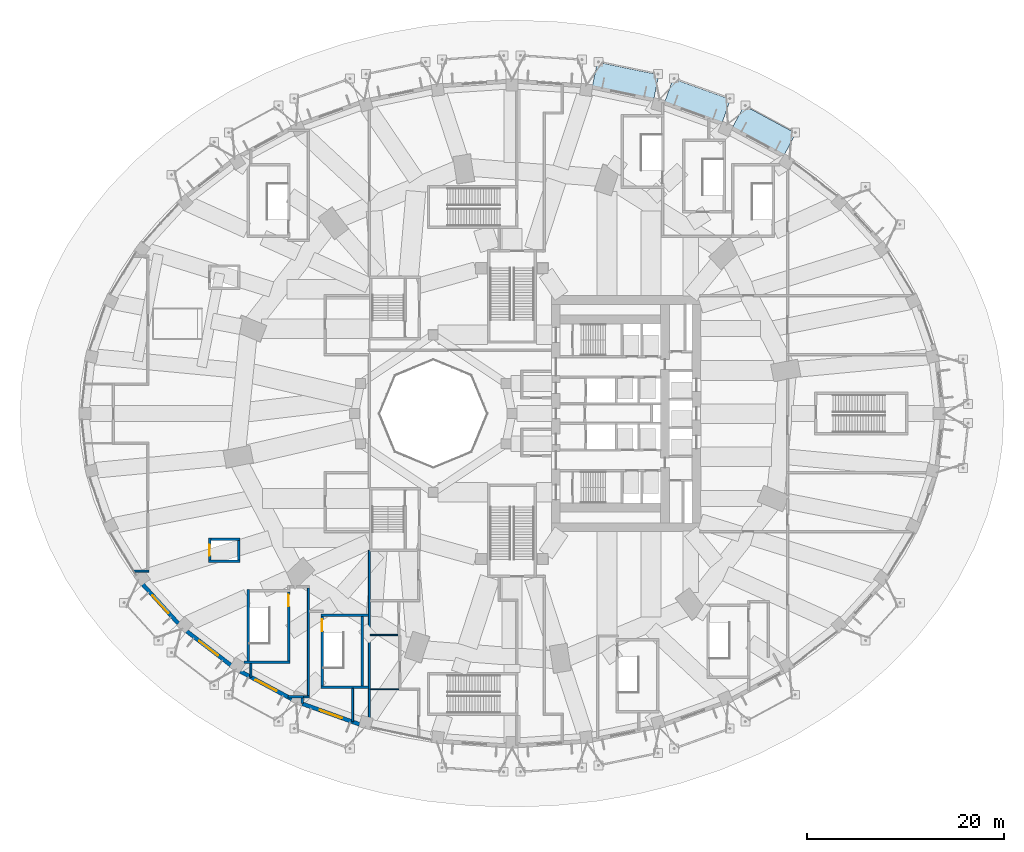
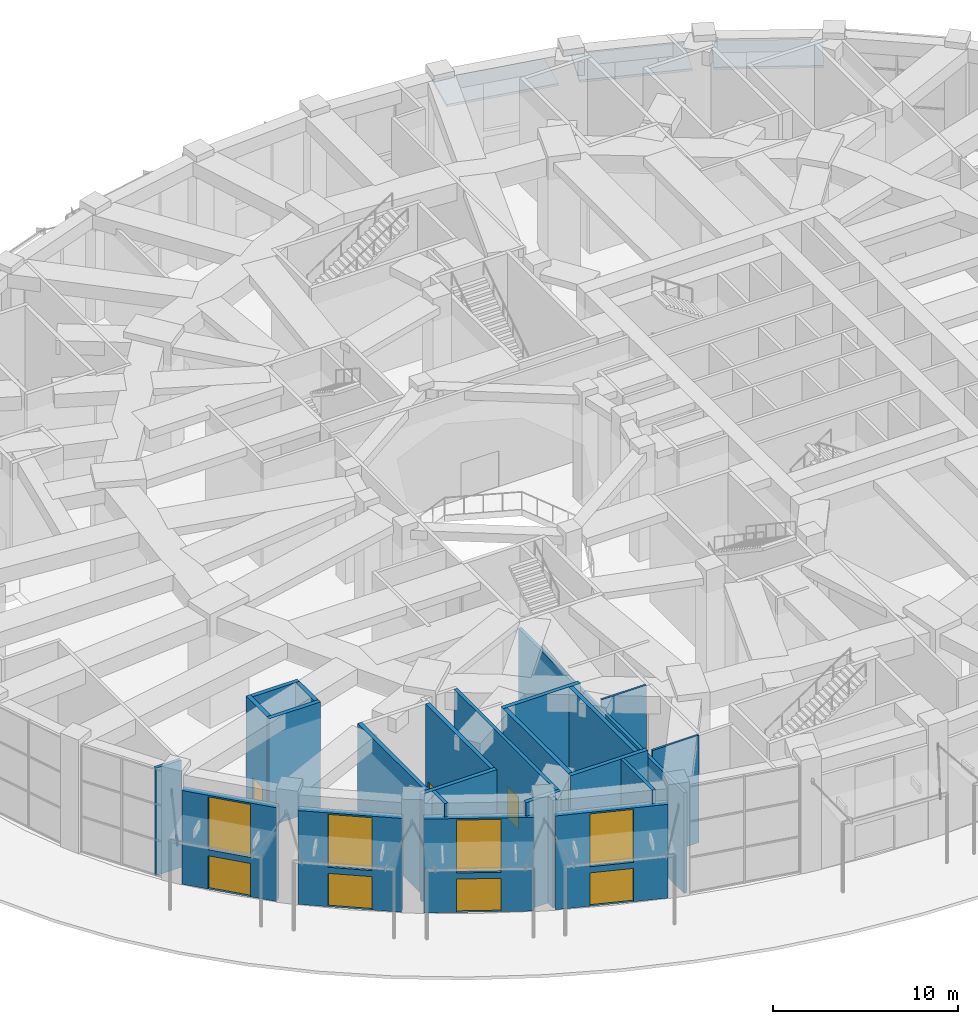
# One storey, part 33 of 60: 25 walls, 7 doors, 4 windows, 3 slabs, 11 openings.
"""IFC4 building model written with IfcOpenShell, lengths in metres."""

from ifc_helpers import new_model, si_unit, direction, frame, frame_2d, origin, place, context, subcontext, project, spatial, polyline, rectangle, outline, extrude, material, layer, layer_set, constituent, constituent_set, type_object, element, fill, save


model = new_model("IFC4")

# Units and contexts
model_context = context("Model", 3, precision=1e-05, world=origin(), true_north=direction((0.0, 1.0)))
body_context = subcontext(model_context, "Body", "Model", "MODEL_VIEW")
ifc_project = project(units=[si_unit("LENGTHUNIT", "METRE"), si_unit("AREAUNIT", "SQUARE_METRE"), si_unit("VOLUMEUNIT", "CUBIC_METRE"), si_unit("PLANEANGLEUNIT", "RADIAN"), si_unit("MASSUNIT", "GRAM", prefix="KILO")], contexts=[model_context])

# Site, building, storey
site_placement = place(None, origin())
site = spatial("IfcSite", under=ifc_project, at=site_placement, CompositionType="ELEMENT")
building_placement = place(site_placement, origin())
building = spatial("IfcBuilding", under=site, at=building_placement, Name="Taillehof Tower", CompositionType="ELEMENT")
storey_placement = place(building_placement, origin())
storey = spatial("IfcBuildingStorey", under=building, at=storey_placement, Name="L00", CompositionType="ELEMENT", Elevation=0.0)

# Slabs
ifc_material_1 = material(Name="Steel S460M", Category="steel")
ifc_constituent_1 = constituent(ifc_material_1, Name="Plate", Category="steel")
ifc_material_2 = material(Name="Aluminium soffit", Category="aluminium")
ifc_constituent_2 = constituent(ifc_material_2, Name="Soffit", Category="aluminium")
ifc_constituent_set = constituent_set(constituents=[ifc_constituent_1, ifc_constituent_2], Name="Entrance canopy 150")
slab_type = type_object("IfcSlabType", Name="Entrance canopy 150", PredefinedType="ROOF", material=ifc_constituent_set)
slab_1_placement = place(storey_placement, frame((0.0, 0.0, 4.449951171875)))
element("IfcSlab", 1, at=slab_1_placement, inside=storey, type_object=slab_type, Name="Canopy over E9", PredefinedType="ROOF", context=body_context, shape_type="SweptSolid", body=[
    extrude(outline(polyline([(27.658203125, 26.2802734375), (22.413330078125, 29.10693359375), (23.599609375, 31.3076171875), (28.84423828125, 28.481201171875), (27.658203125, 26.2802734375)])), origin(), (0.0, 0.0, 1.0), 0.150146484375),
])
slab_2_placement = place(storey_placement, frame((0.0, 0.0, 4.449951171875)))
element("IfcSlab", 2, at=slab_2_placement, inside=storey, type_object=slab_type, Name="Canopy over E10", PredefinedType="ROOF", context=body_context, shape_type="SweptSolid", body=[
    extrude(outline(polyline([(21.3583984375, 29.577392578125), (15.5234375, 31.67138671875), (16.367919921875, 34.0244140625), (22.202880859375, 31.930419921875), (21.3583984375, 29.577392578125)])), origin(), (0.0, 0.0, 1.0), 0.150146484375),
])
slab_3_placement = place(storey_placement, frame((0.0, 0.0, 4.449951171875)))
element("IfcSlab", 3, at=slab_3_placement, inside=storey, type_object=slab_type, Name="Canopy over E11", PredefinedType="ROOF", context=body_context, shape_type="SweptSolid", body=[
    extrude(outline(polyline([(14.412353515625, 31.983642578125), (8.170166015625, 33.27099609375), (8.675048828125, 35.719482421875), (14.917236328125, 34.43212890625), (14.412353515625, 31.983642578125)])), origin(), (0.0, 0.0, 1.0), 0.150146484375),
])

# Wall, openings, door, window
ifc_material_3 = material(Name="Brick masonry", Category="masonry")
ifc_layer_1 = layer(ifc_material_3, 0.39990234375)
ifc_layer_set_1 = layer_set([ifc_layer_1], Name="Brick facade wall 400")
wall_type_1 = type_object("IfcWallType", Name="Brick facade wall 400", PredefinedType="SOLIDWALL", material=ifc_layer_set_1)
wall_1_placement = place(storey_placement, frame((-37.519775390625, -17.362548828125, 0.0), z_axis=(0.0, 0.0, 1.0), x_axis=(0.672941720846, -0.739695505153, 0.0)))
wall_1 = element("IfcWall", 4, at=wall_1_placement, inside=storey, type_object=wall_type_1, Name="Brick wall L00 bay 22", PredefinedType="SOLIDWALL", context=body_context, shape_type="SweptSolid", body=[
    extrude(rectangle(XDim=5.376220703125, YDim=0.39990234375, at=frame_2d((2.68798828125, 0.0))), origin(), (0.0, 0.0, 1.0), 6.18994140625),
])
opening_1_placement = place(wall_1_placement, frame((1.488037109375, 0.0, 0.0)))
opening_1 = element("IfcOpeningElement", 5, at=opening_1_placement, cuts=wall_1, Name="Opening E3", PredefinedType="OPENING", context=body_context, shape_type="SweptSolid", body=[
    extrude(rectangle(XDim=2.39990234375, YDim=2.199951171875, at=frame_2d((1.199951171875, 1.10009765625))), frame((0.0, 0.2099609375, 0.0), z_axis=(0.0, -1.0, 0.0), x_axis=(1.0, 0.0, 0.0)), (0.0, 0.0, 1.0), 0.419921875),
])
opening_2_placement = place(wall_1_placement, frame((1.488037109375, 0.0, 2.60009765625)))
opening_2 = element("IfcOpeningElement", 6, at=opening_2_placement, cuts=wall_1, Name="Opening FL1", PredefinedType="OPENING", context=body_context, shape_type="SweptSolid", body=[
    extrude(rectangle(XDim=2.39990234375, YDim=3.489990234375, at=frame_2d((1.199951171875, 1.7451171875))), frame((0.0, 0.2099609375, 0.0), z_axis=(0.0, -1.0, 0.0), x_axis=(1.0, 0.0, 0.0)), (0.0, 0.0, 1.0), 0.419921875),
])
ifc_material_4 = material(Name="Aluminium door frame with clear laminated safety glass", Category="aluminium")
door_type_1 = type_object("IfcDoorType", Name="Exit door 2400x2200", OperationType="DOUBLE_DOOR_DOUBLE_SWING", PredefinedType="DOOR", material=ifc_material_4)
door_1_placement = place(opening_1_placement, frame((2.39990234375, 0.0, 0.0), z_axis=(0.0, 0.0, 1.0), x_axis=(-1.0, 0.0, 0.0)))
door_1 = element("IfcDoor", 7, at=door_1_placement, inside=storey, type_object=door_type_1, Name="Door E3", OperationType="DOUBLE_DOOR_SINGLE_SWING", OverallHeight=2.199951171875, OverallWidth=2.39990234375, PredefinedType="DOOR", context=body_context, shape_type="SweptSolid", body=[
    extrude(rectangle(XDim=2.39990234375, YDim=2.199951171875, at=frame_2d((1.199951171875, 1.10009765625))), frame((0.0, 0.0498046875, 0.0), z_axis=(0.0, -1.0, 0.0), x_axis=(1.0, 0.0, 0.0)), (0.0, 0.0, 1.0), 0.050048828125),
])
fill(opening_1, door_1)
ifc_material_5 = material(Name="Aluminium window frame with clear laminated safety glass", Category="aluminium")
window_type = type_object("IfcWindowType", Name="Fixed fanlight 2400x3490", PartitioningType="SINGLE_PANEL", PredefinedType="WINDOW", material=ifc_material_5)
window_1_placement = place(opening_2_placement, origin())
window_1 = element("IfcWindow", 8, at=window_1_placement, inside=storey, type_object=window_type, Name="Fanlight over E3", OverallHeight=3.489990234375, OverallWidth=2.39990234375, PartitioningType="SINGLE_PANEL", PredefinedType="WINDOW", context=body_context, shape_type="SweptSolid", body=[
    extrude(rectangle(XDim=2.39990234375, YDim=3.489990234375, at=frame_2d((1.199951171875, 1.7451171875))), frame((0.0, 0.010009765625, 0.0), z_axis=(0.0, -1.0, 0.0), x_axis=(1.0, 0.0, 0.0)), (0.0, 0.0, 1.0), 0.06005859375),
])
fill(opening_2, window_1)

wall_2_placement = place(storey_placement, frame((-33.063232421875, -22.11181640625, 0.0), z_axis=(0.0, 0.0, 1.0), x_axis=(0.79246558555, -0.609916630138, 0.0)))
wall_2 = element("IfcWall", 9, at=wall_2_placement, inside=storey, type_object=wall_type_1, Name="Brick wall L00 bay 23", PredefinedType="SOLIDWALL", context=body_context, shape_type="SweptSolid", body=[
    extrude(rectangle(XDim=5.67333984375, YDim=0.39990234375, at=frame_2d((2.836669921875, 0.0))), origin(), (0.0, 0.0, 1.0), 6.18994140625),
])
opening_3_placement = place(wall_2_placement, frame((1.636474609375, 0.0, 0.0)))
opening_3 = element("IfcOpeningElement", 10, at=opening_3_placement, cuts=wall_2, Name="Opening E4", PredefinedType="OPENING", context=body_context, shape_type="SweptSolid", body=[
    extrude(rectangle(XDim=2.39990234375, YDim=2.199951171875, at=frame_2d((1.199951171875, 1.10009765625))), frame((0.0, 0.2099609375, 0.0), z_axis=(0.0, -1.0, 0.0), x_axis=(1.0, 0.0, 0.0)), (0.0, 0.0, 1.0), 0.419921875),
])
opening_4_placement = place(wall_2_placement, frame((1.636474609375, 0.0, 2.60009765625)))
opening_4 = element("IfcOpeningElement", 11, at=opening_4_placement, cuts=wall_2, Name="Opening FL1", PredefinedType="OPENING", context=body_context, shape_type="SweptSolid", body=[
    extrude(rectangle(XDim=2.39990234375, YDim=3.489990234375, at=frame_2d((1.199951171875, 1.7451171875))), frame((0.0, 0.2099609375, 0.0), z_axis=(0.0, -1.0, 0.0), x_axis=(1.0, 0.0, 0.0)), (0.0, 0.0, 1.0), 0.419921875),
])
door_2_placement = place(opening_3_placement, frame((2.39990234375, 0.0, 0.0), z_axis=(0.0, 0.0, 1.0), x_axis=(-1.0, 0.0, 0.0)))
door_2 = element("IfcDoor", 12, at=door_2_placement, inside=storey, type_object=door_type_1, Name="Door E4", OperationType="DOUBLE_DOOR_SINGLE_SWING", OverallHeight=2.199951171875, OverallWidth=2.39990234375, PredefinedType="DOOR", context=body_context, shape_type="SweptSolid", body=[
    extrude(rectangle(XDim=2.39990234375, YDim=2.199951171875, at=frame_2d((1.199951171875, 1.10009765625))), frame((0.0, 0.0498046875, 0.0), z_axis=(0.0, -1.0, 0.0), x_axis=(1.0, 0.0, 0.0)), (0.0, 0.0, 1.0), 0.050048828125),
])
fill(opening_3, door_2)
window_2_placement = place(opening_4_placement, origin())
window_2 = element("IfcWindow", 13, at=window_2_placement, inside=storey, type_object=window_type, Name="Fanlight over E4", OverallHeight=3.489990234375, OverallWidth=2.39990234375, PartitioningType="SINGLE_PANEL", PredefinedType="WINDOW", context=body_context, shape_type="SweptSolid", body=[
    extrude(rectangle(XDim=2.39990234375, YDim=3.489990234375, at=frame_2d((1.199951171875, 1.7451171875))), frame((0.0, 0.010009765625, 0.0), z_axis=(0.0, -1.0, 0.0), x_axis=(1.0, 0.0, 0.0)), (0.0, 0.0, 1.0), 0.06005859375),
])
fill(opening_4, window_2)

wall_3_placement = place(storey_placement, frame((-27.61083984375, -26.1923828125, 0.0), z_axis=(0.0, 0.0, 1.0), x_axis=(0.880313157301, -0.474393028072, 0.0)))
wall_3 = element("IfcWall", 14, at=wall_3_placement, inside=storey, type_object=wall_type_1, Name="Brick wall L00 bay 24", PredefinedType="SOLIDWALL", context=body_context, shape_type="SweptSolid", body=[
    extrude(rectangle(XDim=5.9580078125, YDim=0.39990234375, at=frame_2d((2.97900390625, 0.0))), origin(), (0.0, 0.0, 1.0), 6.18994140625),
])
opening_5_placement = place(wall_3_placement, frame((1.77880859375, 0.0, 0.0)))
opening_5 = element("IfcOpeningElement", 15, at=opening_5_placement, cuts=wall_3, Name="Opening E21", PredefinedType="OPENING", context=body_context, shape_type="SweptSolid", body=[
    extrude(rectangle(XDim=2.39990234375, YDim=2.199951171875, at=frame_2d((1.199951171875, 1.10009765625))), frame((0.0, 0.2099609375, 0.0), z_axis=(0.0, -1.0, 0.0), x_axis=(1.0, 0.0, 0.0)), (0.0, 0.0, 1.0), 0.419921875),
])
opening_6_placement = place(wall_3_placement, frame((1.77880859375, 0.0, 2.60009765625)))
opening_6 = element("IfcOpeningElement", 16, at=opening_6_placement, cuts=wall_3, Name="Opening FL1", PredefinedType="OPENING", context=body_context, shape_type="SweptSolid", body=[
    extrude(rectangle(XDim=2.39990234375, YDim=3.489990234375, at=frame_2d((1.199951171875, 1.7451171875))), frame((0.0, 0.2099609375, 0.0), z_axis=(0.0, -1.0, 0.0), x_axis=(1.0, 0.0, 0.0)), (0.0, 0.0, 1.0), 0.419921875),
])
door_3_placement = place(opening_5_placement, frame((2.39990234375, 0.0, 0.0), z_axis=(0.0, 0.0, 1.0), x_axis=(-1.0, 0.0, 0.0)))
door_3 = element("IfcDoor", 17, at=door_3_placement, inside=storey, type_object=door_type_1, Name="Door E21", OperationType="DOUBLE_DOOR_SINGLE_SWING", OverallHeight=2.199951171875, OverallWidth=2.39990234375, PredefinedType="DOOR", context=body_context, shape_type="SweptSolid", body=[
    extrude(rectangle(XDim=2.39990234375, YDim=2.199951171875, at=frame_2d((1.199951171875, 1.10009765625))), frame((0.0, 0.0498046875, 0.0), z_axis=(0.0, -1.0, 0.0), x_axis=(1.0, 0.0, 0.0)), (0.0, 0.0, 1.0), 0.050048828125),
])
fill(opening_5, door_3)
window_3_placement = place(opening_6_placement, origin())
window_3 = element("IfcWindow", 18, at=window_3_placement, inside=storey, type_object=window_type, Name="Fanlight over E21", OverallHeight=3.489990234375, OverallWidth=2.39990234375, PartitioningType="SINGLE_PANEL", PredefinedType="WINDOW", context=body_context, shape_type="SweptSolid", body=[
    extrude(rectangle(XDim=2.39990234375, YDim=3.489990234375, at=frame_2d((1.199951171875, 1.7451171875))), frame((0.0, 0.010009765625, 0.0), z_axis=(0.0, -1.0, 0.0), x_axis=(1.0, 0.0, 0.0)), (0.0, 0.0, 1.0), 0.06005859375),
])
fill(opening_6, window_3)

wall_4_placement = place(storey_placement, frame((-21.32470703125, -29.483154296875, 0.0), z_axis=(0.0, 0.0, 1.0), x_axis=(0.941225814421, -0.337777983694, 0.0)))
wall_4 = element("IfcWall", 19, at=wall_4_placement, inside=storey, type_object=wall_type_1, Name="Brick wall L00 bay 25", PredefinedType="SOLIDWALL", context=body_context, shape_type="SweptSolid", body=[
    extrude(rectangle(XDim=6.19921875, YDim=0.39990234375, at=frame_2d((3.099609375, 0.0))), origin(), (0.0, 0.0, 1.0), 6.18994140625),
])
opening_7_placement = place(wall_4_placement, frame((1.899658203125, 0.0, 0.0)))
opening_7 = element("IfcOpeningElement", 20, at=opening_7_placement, cuts=wall_4, Name="Opening E15", PredefinedType="OPENING", context=body_context, shape_type="SweptSolid", body=[
    extrude(rectangle(XDim=2.39990234375, YDim=2.199951171875, at=frame_2d((1.199951171875, 1.10009765625))), frame((0.0, 0.2099609375, 0.0), z_axis=(0.0, -1.0, 0.0), x_axis=(1.0, 0.0, 0.0)), (0.0, 0.0, 1.0), 0.419921875),
])
opening_8_placement = place(wall_4_placement, frame((1.899658203125, 0.0, 2.60009765625)))
opening_8 = element("IfcOpeningElement", 21, at=opening_8_placement, cuts=wall_4, Name="Opening FL1", PredefinedType="OPENING", context=body_context, shape_type="SweptSolid", body=[
    extrude(rectangle(XDim=2.39990234375, YDim=3.489990234375, at=frame_2d((1.199951171875, 1.7451171875))), frame((0.0, 0.2099609375, 0.0), z_axis=(0.0, -1.0, 0.0), x_axis=(1.0, 0.0, 0.0)), (0.0, 0.0, 1.0), 0.419921875),
])
door_4_placement = place(opening_7_placement, frame((2.39990234375, 0.0, 0.0), z_axis=(0.0, 0.0, 1.0), x_axis=(-1.0, 0.0, 0.0)))
door_4 = element("IfcDoor", 22, at=door_4_placement, inside=storey, type_object=door_type_1, Name="Door E15", OperationType="DOUBLE_DOOR_SINGLE_SWING", OverallHeight=2.199951171875, OverallWidth=2.39990234375, PredefinedType="DOOR", context=body_context, shape_type="SweptSolid", body=[
    extrude(rectangle(XDim=2.39990234375, YDim=2.199951171875, at=frame_2d((1.199951171875, 1.10009765625))), frame((0.0, 0.0498046875, 0.0), z_axis=(0.0, -1.0, 0.0), x_axis=(1.0, 0.0, 0.0)), (0.0, 0.0, 1.0), 0.050048828125),
])
fill(opening_7, door_4)
window_4_placement = place(opening_8_placement, origin())
window_4 = element("IfcWindow", 23, at=window_4_placement, inside=storey, type_object=window_type, Name="Fanlight over E15", OverallHeight=3.489990234375, OverallWidth=2.39990234375, PartitioningType="SINGLE_PANEL", PredefinedType="WINDOW", context=body_context, shape_type="SweptSolid", body=[
    extrude(rectangle(XDim=2.39990234375, YDim=3.489990234375, at=frame_2d((1.199951171875, 1.7451171875))), frame((0.0, 0.010009765625, 0.0), z_axis=(0.0, -1.0, 0.0), x_axis=(1.0, 0.0, 0.0)), (0.0, 0.0, 1.0), 0.06005859375),
])
fill(opening_8, window_4)

# Walls
ifc_material_6 = material(Name="Calcium silicate blockwork", Category="masonry")
ifc_layer_2 = layer(ifc_material_6, 0.199951171875)
ifc_layer_set_2 = layer_set([ifc_layer_2], Name="Compartment wall EI 60 200 mm")
wall_type_2 = type_object("IfcWallType", Name="Compartment wall EI 60 200 mm", PredefinedType="PARTITIONING", material=ifc_layer_set_2)
wall_5_placement = place(storey_placement, frame((-21.175048828125, -28.7900390625, 0.0), z_axis=(0.0, 0.0, 1.0), x_axis=(1.0, 0.0, 0.0)))
element("IfcWall", 24, at=wall_5_placement, inside=storey, type_object=wall_type_2, Name="Wall L00-39 / L00-42", PredefinedType="PARTITIONING", context=body_context, shape_type="SweptSolid", body=[
    extrude(rectangle(XDim=0.574951171875, YDim=0.199951171875, at=frame_2d((0.28759765625, 0.0))), origin(), (0.0, 0.0, 1.0), 7.090087890625),
])
wall_6_placement = place(storey_placement, frame((-38.48974609375, -16.0, 0.0), z_axis=(0.0, 0.0, 1.0), x_axis=(1.0, 0.0, 0.0)))
element("IfcWall", 25, at=wall_6_placement, inside=storey, type_object=wall_type_2, Name="Wall L00-16 / L00-35", PredefinedType="PARTITIONING", context=body_context, shape_type="SweptSolid", body=[
    extrude(rectangle(XDim=1.58984375, YDim=0.199951171875, at=frame_2d((0.794921875, 0.0))), origin(), (0.0, 0.0, 1.0), 7.090087890625),
])
wall_7_placement = place(storey_placement, frame((-26.539306640625, -26.795654296875, 0.0), z_axis=(0.0, 0.0, 1.0), x_axis=(0.0, 1.0, 0.0)))
element("IfcWall", 26, at=wall_7_placement, inside=storey, type_object=wall_type_2, Name="Wall L00-35 / L00-39", PredefinedType="PARTITIONING", context=body_context, shape_type="SweptSolid", body=[
    extrude(rectangle(XDim=1.380615234375, YDim=0.199951171875, at=frame_2d((0.6904296875, 0.0))), origin(), (0.0, 0.0, 1.0), 7.090087890625),
])
wall_8_placement = place(storey_placement, frame((-20.699951171875, -28.68994140625, 0.0), z_axis=(0.0, 0.0, 1.0), x_axis=(0.0, 1.0, 0.0)))
element("IfcWall", 27, at=wall_8_placement, inside=storey, type_object=wall_type_2, Name="Wall L00-39 / L00-42", PredefinedType="PARTITIONING", context=body_context, shape_type="SweptSolid", body=[
    extrude(rectangle(XDim=10.989990234375, YDim=0.199951171875, at=frame_2d((5.4951171875, 0.0))), origin(), (0.0, 0.0, 1.0), 7.090087890625),
])
wall_9_placement = place(storey_placement, frame((-16.19189453125, -31.30419921875, 0.0), z_axis=(0.0, 0.0, 1.0), x_axis=(0.0, 1.0, 0.0)))
element("IfcWall", 28, at=wall_9_placement, inside=storey, type_object=wall_type_2, Name="Wall L00-35 / L00-42", PredefinedType="PARTITIONING", context=body_context, shape_type="SweptSolid", body=[
    extrude(rectangle(XDim=3.38916015625, YDim=0.199951171875, at=frame_2d((1.694580078125, 0.0))), origin(), (0.0, 0.0, 1.0), 7.090087890625),
])
wall_10_placement = place(storey_placement, frame((-14.5, -31.802978515625, 0.0), z_axis=(0.0, 0.0, 1.0), x_axis=(0.0, 1.0, 0.0)))
element("IfcWall", 29, at=wall_10_placement, inside=storey, type_object=wall_type_2, Name="Wall L00-26 / L00-35", PredefinedType="PARTITIONING", context=body_context, shape_type="SweptSolid", body=[
    extrude(rectangle(XDim=17.903076171875, YDim=0.199951171875, at=frame_2d((8.95166015625, 0.0))), origin(), (0.0, 0.0, 1.0), 6.639892578125),
])
ifc_material_7 = material(Name="Calcium silicate blockwork", Category="masonry")
ifc_layer_3 = layer(ifc_material_7, 0.25)
ifc_layer_set_3 = layer_set([ifc_layer_3], Name="Fire-resisting wall EI 120 250 mm")
wall_type_3 = type_object("IfcWallType", Name="Fire-resisting wall EI 120 250 mm", PredefinedType="PARTITIONING", material=ifc_layer_set_3)
wall_11_placement = place(storey_placement, frame((-22.7802734375, -28.7900390625, 0.0), z_axis=(0.0, 0.0, 1.0), x_axis=(1.0, 0.0, 0.0)))
element("IfcWall", 30, at=wall_11_placement, inside=storey, type_object=wall_type_3, Name="Wall L00-39 / X1", PredefinedType="PARTITIONING", context=body_context, shape_type="SweptSolid", body=[
    extrude(rectangle(XDim=1.605224609375, YDim=0.25, at=frame_2d((0.802734375, 0.0))), origin(), (0.0, 0.0, 1.0), 7.090087890625),
])
wall_12_placement = place(storey_placement, frame((-21.300048828125, -29.458984375, 0.0), z_axis=(0.0, 0.0, 1.0), x_axis=(0.0, 1.0, 0.0)))
element("IfcWall", 31, at=wall_12_placement, inside=storey, type_object=wall_type_3, Name="Wall L00-42 / X1", PredefinedType="PARTITIONING", context=body_context, shape_type="SweptSolid", body=[
    extrude(rectangle(XDim=0.5439453125, YDim=0.25, at=frame_2d((0.27197265625, 0.0))), origin(), (0.0, 0.0, 1.0), 7.090087890625),
])
ifc_material_8 = material(Name="Gypsum board partition on steel studs", Category="steel")
ifc_layer_4 = layer(ifc_material_8, 0.125)
ifc_layer_set_4 = layer_set([ifc_layer_4], Name="Partition wall EI 30 125 mm")
wall_type_4 = type_object("IfcWallType", Name="Partition wall EI 30 125 mm", PredefinedType="PARTITIONING", material=ifc_layer_set_4)
wall_13_placement = place(storey_placement, frame((-14.39990234375, -28.0, 0.0), z_axis=(0.0, 0.0, 1.0), x_axis=(1.0, 0.0, 0.0)))
element("IfcWall", 32, at=wall_13_placement, inside=storey, type_object=wall_type_4, Name="Wall L00-25 / L00-26", PredefinedType="PARTITIONING", context=body_context, shape_type="SweptSolid", body=[
    extrude(rectangle(XDim=2.89990234375, YDim=0.125, at=frame_2d((1.449951171875, 0.0))), origin(), (0.0, 0.0, 1.0), 7.090087890625),
])
wall_14_placement = place(storey_placement, frame((-14.39990234375, -22.5, 0.0), z_axis=(0.0, 0.0, 1.0), x_axis=(1.0, 0.0, 0.0)))
element("IfcWall", 33, at=wall_14_placement, inside=storey, type_object=wall_type_4, Name="Wall L00-24 / L00-25", PredefinedType="PARTITIONING", context=body_context, shape_type="SweptSolid", body=[
    extrude(rectangle(XDim=2.7998046875, YDim=0.125, at=frame_2d((1.39990234375, 0.0))), origin(), (0.0, 0.0, 1.0), 7.090087890625),
])
ifc_material_9 = material(Name="Calcium silicate blockwork", Category="masonry")
ifc_layer_5 = layer(ifc_material_9, 0.25)
ifc_layer_set_5 = layer_set([ifc_layer_5], Name="Shaft wall EI 120 250 mm")
wall_type_5 = type_object("IfcWallType", Name="Shaft wall EI 120 250 mm", PredefinedType="SHEAR", material=ifc_layer_set_5)
wall_15_placement = place(storey_placement, frame((-30.85009765625, -15.0, 0.0), z_axis=(0.0, 0.0, 1.0), x_axis=(1.0, 0.0, 0.0)))
element("IfcWall", 34, at=wall_15_placement, inside=storey, type_object=wall_type_5, Name="Wall L00-15 / L00-35", PredefinedType="SHEAR", context=body_context, shape_type="SweptSolid", body=[
    extrude(rectangle(XDim=3.2001953125, YDim=0.25, at=frame_2d((1.60009765625, 0.0))), origin(), (0.0, 0.0, 1.0), 7.090087890625),
])
wall_16_placement = place(storey_placement, frame((-30.60009765625, -12.75, 0.0), z_axis=(0.0, 0.0, 1.0), x_axis=(1.0, 0.0, 0.0)))
element("IfcWall", 35, at=wall_16_placement, inside=storey, type_object=wall_type_5, Name="Wall L00-15 / L00-35", PredefinedType="SHEAR", context=body_context, shape_type="SweptSolid", body=[
    extrude(rectangle(XDim=2.9501953125, YDim=0.25, at=frame_2d((1.47509765625, 0.0))), origin(), (0.0, 0.0, 1.0), 7.090087890625),
])

# Wall, opening, door
wall_17_placement = place(storey_placement, frame((-30.72509765625, -14.875, 0.0), z_axis=(0.0, 0.0, 1.0), x_axis=(0.0, 1.0, 0.0)))
wall_17 = element("IfcWall", 36, at=wall_17_placement, inside=storey, type_object=wall_type_5, Name="Wall L00-15 / L00-35", PredefinedType="SHEAR", context=body_context, shape_type="SweptSolid", body=[
    extrude(rectangle(XDim=2.25, YDim=0.25, at=frame_2d((1.125, 0.0))), origin(), (0.0, 0.0, 1.0), 7.090087890625),
])
opening_9_placement = place(wall_17_placement, frame((0.449951171875, 0.0, 0.0)))
opening_9 = element("IfcOpeningElement", 37, at=opening_9_placement, cuts=wall_17, Name="Opening LD4", PredefinedType="OPENING", context=body_context, shape_type="SweptSolid", body=[
    extrude(rectangle(XDim=1.10009765625, YDim=2.10009765625, at=frame_2d((0.550048828125, 1.050048828125))), frame((0.0, 0.135009765625, 0.0), z_axis=(0.0, -1.0, 0.0), x_axis=(1.0, 0.0, 0.0)), (0.0, 0.0, 1.0), 0.27001953125),
])
ifc_material_10 = material(Name="Brushed stainless lift door")
door_type_2 = type_object("IfcDoorType", Name="Lift landing door 1100 x 2100", OperationType="SLIDING_TO_LEFT", PredefinedType="DOOR", material=ifc_material_10)
door_5_placement = place(opening_9_placement, origin())
door_5 = element("IfcDoor", 38, at=door_5_placement, inside=storey, type_object=door_type_2, Name="Landing door D0052", OperationType="SLIDING_TO_LEFT", OverallHeight=2.10009765625, OverallWidth=1.10009765625, PredefinedType="DOOR", context=body_context, shape_type="SweptSolid", body=[
    extrude(rectangle(XDim=1.10009765625, YDim=2.10009765625, at=frame_2d((0.550048828125, 1.050048828125))), frame((0.0, 0.02490234375, 0.0), z_axis=(0.0, -1.0, 0.0), x_axis=(1.0, 0.0, 0.0)), (0.0, 0.0, 1.0), 0.050048828125),
])
fill(opening_9, door_5)

# Walls
wall_18_placement = place(storey_placement, frame((-27.77490234375, -14.875, 0.0), z_axis=(0.0, 0.0, 1.0), x_axis=(0.0, 1.0, 0.0)))
element("IfcWall", 39, at=wall_18_placement, inside=storey, type_object=wall_type_5, Name="Wall L00-15 / L00-35", PredefinedType="SHEAR", context=body_context, shape_type="SweptSolid", body=[
    extrude(rectangle(XDim=2.0, YDim=0.25, at=frame_2d((1.0, 0.0))), origin(), (0.0, 0.0, 1.0), 7.090087890625),
])
ifc_material_11 = material(Name="Concrete C40/50", Category="concrete")
ifc_layer_6 = layer(ifc_material_11, 0.25)
ifc_layer_set_6 = layer_set([ifc_layer_6], Name="Stair wall EI 120 250 mm")
wall_type_6 = type_object("IfcWallType", Name="Stair wall EI 120 250 mm", PredefinedType="SOLIDWALL", material=ifc_layer_set_6)
wall_19_placement = place(storey_placement, frame((-19.425048828125, -27.7900390625, 0.0), z_axis=(0.0, 0.0, 1.0), x_axis=(1.0, 0.0, 0.0)))
element("IfcWall", 40, at=wall_19_placement, inside=storey, type_object=wall_type_6, Name="Wall L00-13 / L00-42", PredefinedType="SOLIDWALL", context=body_context, shape_type="SweptSolid", body=[
    extrude(rectangle(XDim=4.824951171875, YDim=0.25, at=frame_2d((2.41259765625, 0.0))), origin(), (0.0, 0.0, 1.0), 7.090087890625),
])
wall_20_placement = place(storey_placement, frame((-27.25048828125, -25.2900390625, 0.0), z_axis=(0.0, 0.0, 1.0), x_axis=(1.0, 0.0, 0.0)))
element("IfcWall", 41, at=wall_20_placement, inside=storey, type_object=wall_type_6, Name="Wall L00-07 / L00-35", PredefinedType="SOLIDWALL", context=body_context, shape_type="SweptSolid", body=[
    extrude(rectangle(XDim=4.675537109375, YDim=0.25, at=frame_2d((2.337890625, 0.0))), origin(), (0.0, 0.0, 1.0), 7.090087890625),
])
wall_21_placement = place(storey_placement, frame((-19.425048828125, -20.5, 0.0), z_axis=(0.0, 0.0, 1.0), x_axis=(1.0, 0.0, 0.0)))
element("IfcWall", 42, at=wall_21_placement, inside=storey, type_object=wall_type_6, Name="Wall L00-13 / L00-35", PredefinedType="SOLIDWALL", context=body_context, shape_type="SweptSolid", body=[
    extrude(rectangle(XDim=4.824951171875, YDim=0.25, at=frame_2d((2.41259765625, 0.0))), origin(), (0.0, 0.0, 1.0), 7.090087890625),
])
wall_22_placement = place(storey_placement, frame((-26.800048828125, -25.1650390625, 0.0), z_axis=(0.0, 0.0, 1.0), x_axis=(0.0, 1.0, 0.0)))
element("IfcWall", 43, at=wall_22_placement, inside=storey, type_object=wall_type_6, Name="Wall L00-07 / L00-35", PredefinedType="SOLIDWALL", context=body_context, shape_type="SweptSolid", body=[
    extrude(rectangle(XDim=7.2900390625, YDim=0.25, at=frame_2d((3.64501953125, 0.0))), origin(), (0.0, 0.0, 1.0), 7.090087890625),
])

# Wall, opening, door
wall_23_placement = place(storey_placement, frame((-22.699951171875, -25.1650390625, 0.0), z_axis=(0.0, 0.0, 1.0), x_axis=(0.0, 1.0, 0.0)))
wall_23 = element("IfcWall", 44, at=wall_23_placement, inside=storey, type_object=wall_type_6, Name="Wall L00-07 / L00-39", PredefinedType="SOLIDWALL", context=body_context, shape_type="SweptSolid", body=[
    extrude(rectangle(XDim=7.0400390625, YDim=0.25, at=frame_2d((3.52001953125, 0.0))), origin(), (0.0, 0.0, 1.0), 7.090087890625),
])
opening_10_placement = place(wall_23_placement, frame((5.56494140625, 0.0, 0.0)))
opening_10 = element("IfcOpeningElement", 45, at=opening_10_placement, cuts=wall_23, Name="Opening D0048", PredefinedType="OPENING", context=body_context, shape_type="SweptSolid", body=[
    extrude(rectangle(XDim=1.199951171875, YDim=2.10009765625, at=frame_2d((0.60009765625, 1.050048828125))), frame((0.0, 0.135009765625, 0.0), z_axis=(0.0, -1.0, 0.0), x_axis=(1.0, 0.0, 0.0)), (0.0, 0.0, 1.0), 0.27001953125),
])
ifc_material_12 = material(Name="Hollow metal door set")
door_type_3 = type_object("IfcDoorType", Name="Single door 1200 x 2100 FD120S", OperationType="SINGLE_SWING_LEFT", PredefinedType="DOOR", material=ifc_material_12)
door_6_placement = place(opening_10_placement, origin())
door_6 = element("IfcDoor", 46, at=door_6_placement, inside=storey, type_object=door_type_3, Name="Door D0048", OperationType="SINGLE_SWING_LEFT", OverallHeight=2.10009765625, OverallWidth=1.199951171875, PredefinedType="DOOR", context=body_context, shape_type="SweptSolid", body=[
    extrude(rectangle(XDim=1.199951171875, YDim=2.10009765625, at=frame_2d((0.60009765625, 1.050048828125))), frame((0.0, 0.02490234375, 0.0), z_axis=(0.0, -1.0, 0.0), x_axis=(1.0, 0.0, 0.0)), (0.0, 0.0, 1.0), 0.050048828125),
])
fill(opening_10, door_6)

wall_24_placement = place(storey_placement, frame((-19.300048828125, -27.6650390625, 0.0), z_axis=(0.0, 0.0, 1.0), x_axis=(0.0, 1.0, 0.0)))
wall_24 = element("IfcWall", 47, at=wall_24_placement, inside=storey, type_object=wall_type_6, Name="Wall L00-13 / L00-42", PredefinedType="SOLIDWALL", context=body_context, shape_type="SweptSolid", body=[
    extrude(rectangle(XDim=7.0400390625, YDim=0.25, at=frame_2d((3.52001953125, 0.0))), origin(), (0.0, 0.0, 1.0), 7.090087890625),
])
opening_11_placement = place(wall_24_placement, frame((5.56494140625, 0.0, 0.0)))
opening_11 = element("IfcOpeningElement", 48, at=opening_11_placement, cuts=wall_24, Name="Opening D0045", PredefinedType="OPENING", context=body_context, shape_type="SweptSolid", body=[
    extrude(rectangle(XDim=1.199951171875, YDim=2.10009765625, at=frame_2d((0.60009765625, 1.050048828125))), frame((0.0, 0.135009765625, 0.0), z_axis=(0.0, -1.0, 0.0), x_axis=(1.0, 0.0, 0.0)), (0.0, 0.0, 1.0), 0.27001953125),
])
door_7_placement = place(opening_11_placement, origin())
door_7 = element("IfcDoor", 49, at=door_7_placement, inside=storey, type_object=door_type_3, Name="Door D0045", OperationType="SINGLE_SWING_LEFT", OverallHeight=2.10009765625, OverallWidth=1.199951171875, PredefinedType="DOOR", context=body_context, shape_type="SweptSolid", body=[
    extrude(rectangle(XDim=1.199951171875, YDim=2.10009765625, at=frame_2d((0.60009765625, 1.050048828125))), frame((0.0, 0.02490234375, 0.0), z_axis=(0.0, -1.0, 0.0), x_axis=(1.0, 0.0, 0.0)), (0.0, 0.0, 1.0), 0.050048828125),
])
fill(opening_11, door_7)

# Wall
wall_25_placement = place(storey_placement, frame((-15.199951171875, -27.6650390625, 0.0), z_axis=(0.0, 0.0, 1.0), x_axis=(0.0, 1.0, 0.0)))
element("IfcWall", 50, at=wall_25_placement, inside=storey, type_object=wall_type_6, Name="Wall L00-13 / L00-35", PredefinedType="SOLIDWALL", context=body_context, shape_type="SweptSolid", body=[
    extrude(rectangle(XDim=7.0400390625, YDim=0.25, at=frame_2d((3.52001953125, 0.0))), origin(), (0.0, 0.0, 1.0), 7.090087890625),
])

save(model, "model.ifc")
